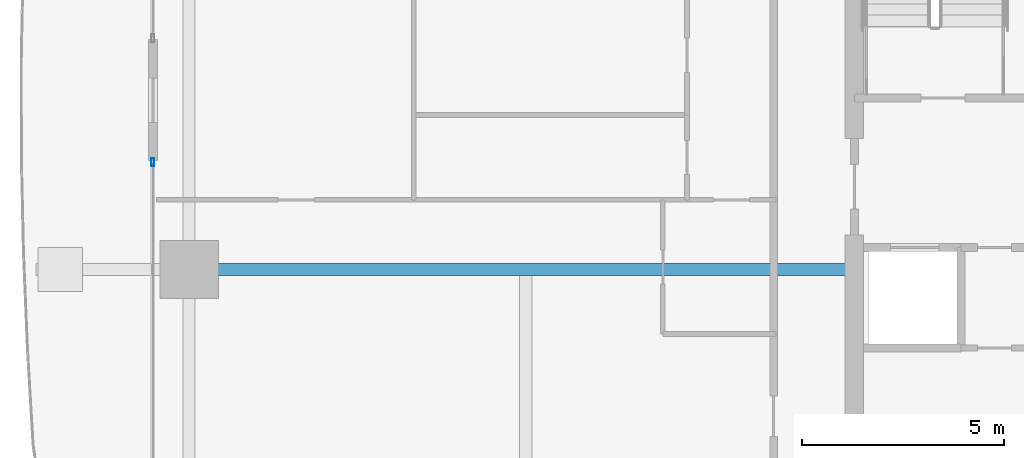
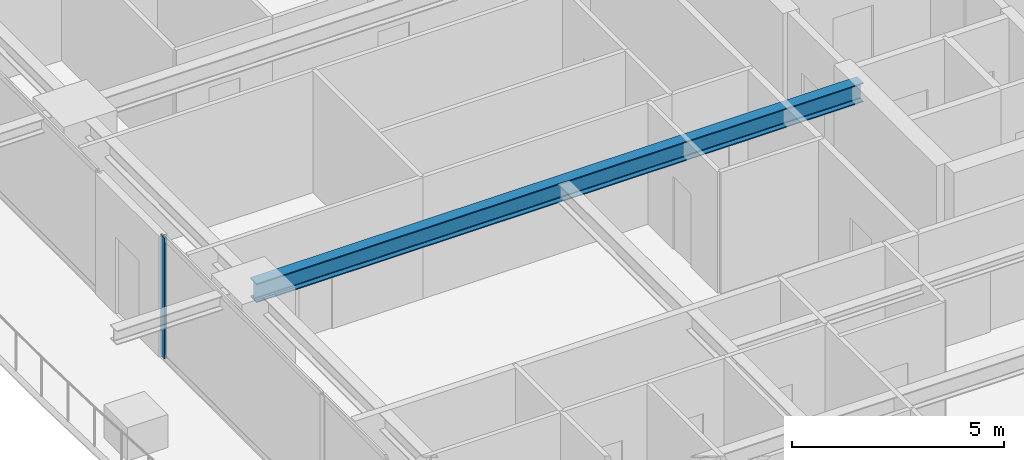
# One storey, part 7 of 35: 1 beam, 1 member, 1 element without a shape of its own.
"""IFC4 building model written with IfcOpenShell, lengths in metres."""

from ifc_helpers import new_model, si_unit, direction, frame, origin, origin_2d, place, context, subcontext, project, spatial, hollow_rectangle, i_section, extrude, source, transform, mapped, material, layer, layer_set, material_profile, profile_set, type_object, element, aggregate, save


model = new_model("IFC4")

# Units and contexts
model_context = context("Model", 3, precision=1e-05, world=origin(), true_north=direction((0.0, 1.0)))
body_context = subcontext(model_context, "Body", "Model", "MODEL_VIEW")
ifc_project = project(units=[si_unit("LENGTHUNIT", "METRE"), si_unit("AREAUNIT", "SQUARE_METRE"), si_unit("VOLUMEUNIT", "CUBIC_METRE"), si_unit("PLANEANGLEUNIT", "RADIAN"), si_unit("MASSUNIT", "GRAM", prefix="KILO")], contexts=[model_context])

# Site, building, storey
site_placement = place(None, origin())
site = spatial("IfcSite", under=ifc_project, at=site_placement, CompositionType="ELEMENT")
building_placement = place(site_placement, origin())
building = spatial("IfcBuilding", under=site, at=building_placement, Name="Serunith Strait Residences", CompositionType="ELEMENT")
storey_placement = place(building_placement, frame((0.0, 0.0, 56.699951171875)))
storey = spatial("IfcBuildingStorey", under=building, at=storey_placement, Name="L13", CompositionType="ELEMENT", Elevation=56.699951171875)

# Beam
ifc_material_1 = material(Name="Steel S355J2", Category="steel")
ifc_material_profile_1 = material_profile(ifc_material_1, i_section(OverallWidth=0.300048828125, OverallDepth=0.550048828125, WebThickness=0.014892578125, FlangeThickness=0.029052734375, FilletRadius=0.027099609375, at=origin_2d()), Name="HEB 550")
ifc_profile_set_1 = profile_set([ifc_material_profile_1], Name="Steel S355J2")
beam_type = type_object("IfcBeamType", Name="BM-HEB550", PredefinedType="BEAM", material=ifc_profile_set_1)
shared_shape_1 = source(origin(), body_context, "Body", "SweptSolid", [
    extrude(i_section(OverallWidth=0.300048828125, OverallDepth=0.550048828125, WebThickness=0.014892578125, FlangeThickness=0.029052734375, FilletRadius=0.027099609375, at=origin_2d()), origin(), (0.0, 0.0, 1.0), 16.5),
])
beam_placement = place(storey_placement, frame((23.39990234375, 21.0, 3.212158203125), z_axis=(-1.0, 0.0, 0.0), x_axis=(0.0, -1.0, 0.0)))
element("IfcBeam", 1, at=beam_placement, inside=storey, type_object=beam_type, Name="L13 Primary Floor Girder TC-W2", PredefinedType="BEAM", context=body_context, shape_type="MappedRepresentation", body=[
    mapped(shared_shape_1, transform((0.0, 0.0, 0.0), scale=1.0)),
])

# Curtain wall, member
ifc_material_2 = material(Name="Pale-Champagne Anodised Aluminium", Category="aluminium")
ifc_layer = layer(ifc_material_2, 0.199951171875, Name="Pale-Champagne Anodised Aluminium")
ifc_layer_set = layer_set([ifc_layer], Name="Pale-Champagne Anodised Aluminium")
curtain_wall_type = type_object("IfcCurtainWallType", Name="CW-SYS1", PredefinedType="NOTDEFINED", material=ifc_layer_set)
curtain_wall_placement = place(storey_placement, origin())
curtain_wall = element("IfcCurtainWall", 2, at=curtain_wall_placement, inside=storey, type_object=curtain_wall_type, Name="L13 W Unitised Fritted Curtain Wall", PredefinedType="NOTDEFINED")
ifc_material_profile_2 = material_profile(ifc_material_2, hollow_rectangle(XDim=0.070068359375, YDim=0.199951171875, WallThickness=0.00390625, InnerFilletRadius=0.006103515625, OuterFilletRadius=0.010009765625, at=origin_2d()), Name="ALU 200x70x4")
ifc_profile_set_2 = profile_set([ifc_material_profile_2], Name="Pale-Champagne Anodised Aluminium")
member_type = type_object("IfcMemberType", Name="CW-SYS1-MULL", PredefinedType="MULLION", material=ifc_profile_set_2)
shared_shape_2 = source(origin(), body_context, "Body", "SweptSolid", [
    extrude(hollow_rectangle(XDim=0.070068359375, YDim=0.199951171875, WallThickness=0.00390625, InnerFilletRadius=0.006103515625, OuterFilletRadius=0.010009765625, at=origin_2d()), origin(), (0.0, 0.0, 1.0), 3.47509765625),
])
member_placement = place(storey_placement, frame((6.0, 23.6650390625, 0.0), z_axis=(0.0, 0.0, 1.0), x_axis=(1.0, 0.0, 0.0)))
member = element("IfcMember", 3, at=member_placement, type_object=member_type, Name="CW-1 mullion 1", PredefinedType="MULLION", context=body_context, shape_type="MappedRepresentation", body=[
    mapped(shared_shape_2, transform((0.0, 0.0, 0.0), scale=1.0)),
])
aggregate(curtain_wall, [member])

save(model, "model.ifc")
